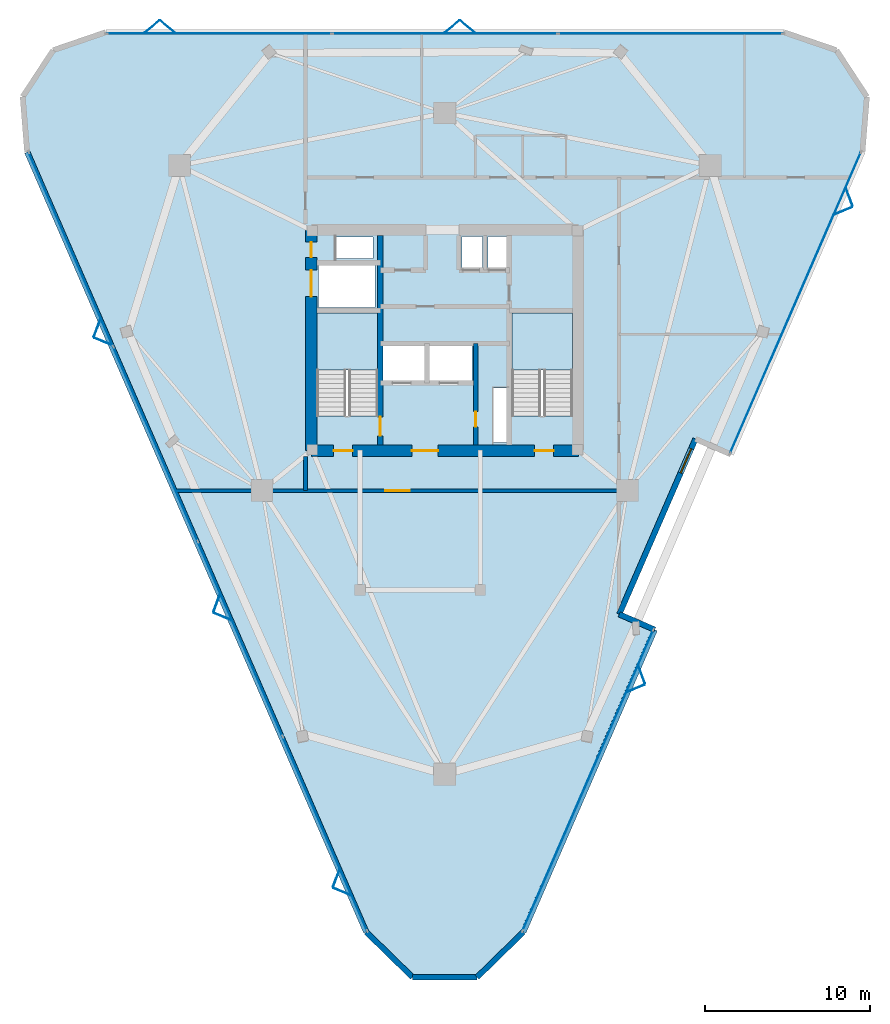
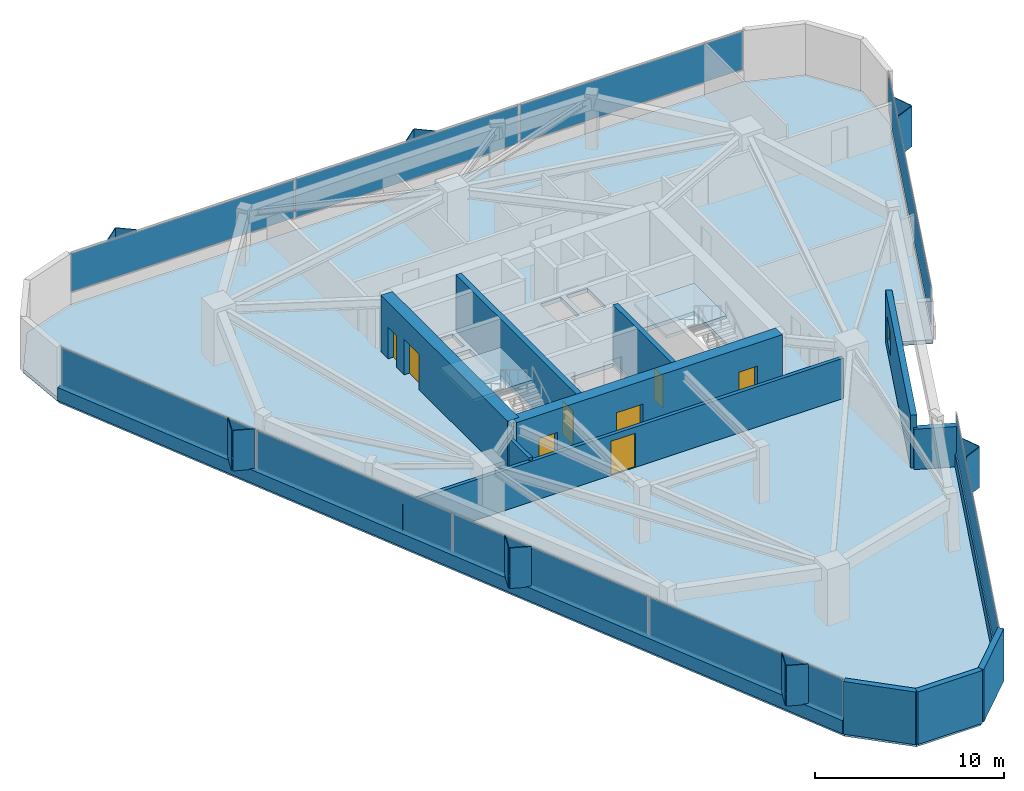
# One storey, part 7 of 10: 23 plates, 13 walls, 8 doors, 3 slabs, 1 window, 9 openings, 6 elements without a shape of their own.
"""IFC4 building model written with IfcOpenShell, lengths in metres."""

from ifc_helpers import new_model, si_unit, direction, frame, frame_2d, origin, origin_2d, place, context, subcontext, project, spatial, polyline, rectangle, outline, extrude, material, layer, layer_set, type_object, element, fill, aggregate, save


model = new_model("IFC4")

# Units and contexts
model_context = context("Model", 3, precision=1e-05, world=origin(), true_north=direction((0.0, 1.0)))
body_context = subcontext(model_context, "Body", "Model", "MODEL_VIEW")
ifc_project = project(units=[si_unit("LENGTHUNIT", "METRE"), si_unit("AREAUNIT", "SQUARE_METRE"), si_unit("VOLUMEUNIT", "CUBIC_METRE"), si_unit("PLANEANGLEUNIT", "RADIAN"), si_unit("MASSUNIT", "GRAM", prefix="KILO")], contexts=[model_context])

# Site, building, storey
site_placement = place(None, origin())
site = spatial("IfcSite", under=ifc_project, at=site_placement, CompositionType="ELEMENT")
building_placement = place(site_placement, origin())
building = spatial("IfcBuilding", under=site, at=building_placement, Name="Talyreon Biosciences Tower", CompositionType="ELEMENT")
storey_placement = place(building_placement, frame((0.0, 0.0, 204.949951171875)))
storey = spatial("IfcBuildingStorey", under=building, at=storey_placement, Name="L54", CompositionType="ELEMENT", Elevation=204.949951171875)

# Curtain wall, plates
ifc_material_1 = material(Name="Thermally broken aluminium and low-E glazing", Category="aluminium")
ifc_layer_1 = layer(ifc_material_1, 0.205078125)
ifc_layer_set_1 = layer_set([ifc_layer_1], Name="Thermally broken aluminium and low-E glazing")
curtain_wall_type = type_object("IfcCurtainWallType", Name="CurtainWall_SkyGardenLoggia", PredefinedType="NOTDEFINED", material=ifc_layer_set_1)
curtain_wall_1_placement = place(storey_placement, origin())
curtain_wall_1 = element("IfcCurtainWall", 1, at=curtain_wall_1_placement, inside=storey, type_object=curtain_wall_type, Name="L54 Unitised Curtain Wall FCW-L54-03", PredefinedType="NOTDEFINED")
ifc_material_2 = material(Name="Acoustic laminated low-E insulated glazing", Category="glass")
ifc_layer_2 = layer(ifc_material_2, 0.0380859375)
ifc_layer_set_2 = layer_set([ifc_layer_2], Name="Acoustic laminated low-E insulated glazing")
plate_type_1 = type_object("IfcPlateType", Name="CWGlazingPanel_38", PredefinedType="CURTAIN_PANEL", material=ifc_layer_set_2)
plate_1_placement = place(storey_placement, frame((52.30859375, 86.605224609375, 0.875), z_axis=(0.0, 0.0, 1.0), x_axis=(1.0, 0.0, 0.0)))
plate_1 = element("IfcPlate", 2, at=plate_1_placement, type_object=plate_type_1, Name="CW7 panel 1.1", PredefinedType="CURTAIN_PANEL", context=body_context, shape_type="SweptSolid", body=[
    extrude(rectangle(XDim=13.59765625, YDim=0.0380859375, at=origin_2d()), origin(), (0.0, 0.0, 1.0), 2.4599609375),
])
plate_2_placement = place(storey_placement, frame((66.0, 86.605224609375, 0.875), z_axis=(0.0, 0.0, 1.0), x_axis=(1.0, 0.0, 0.0)))
plate_2 = element("IfcPlate", 3, at=plate_2_placement, type_object=plate_type_1, Name="CW7 panel 2.1", PredefinedType="CURTAIN_PANEL", context=body_context, shape_type="SweptSolid", body=[
    extrude(rectangle(XDim=13.63525390625, YDim=0.0380859375, at=origin_2d()), origin(), (0.0, 0.0, 1.0), 2.4599609375),
])
plate_3_placement = place(storey_placement, frame((79.69140625, 86.605224609375, 0.875), z_axis=(0.0, 0.0, 1.0), x_axis=(1.0, 0.0, 0.0)))
plate_3 = element("IfcPlate", 4, at=plate_3_placement, type_object=plate_type_1, Name="CW7 panel 3.1", PredefinedType="CURTAIN_PANEL", context=body_context, shape_type="SweptSolid", body=[
    extrude(rectangle(XDim=13.59765625, YDim=0.0380859375, at=origin_2d()), origin(), (0.0, 0.0, 1.0), 2.4599609375),
])
aggregate(curtain_wall_1, [plate_1, plate_2, plate_3])

# Curtain wall, plate
curtain_wall_2_placement = place(storey_placement, origin())
curtain_wall_2 = element("IfcCurtainWall", 5, at=curtain_wall_2_placement, inside=storey, type_object=curtain_wall_type, Name="L54 Unitised Curtain Wall FCW-L54-07", PredefinedType="NOTDEFINED")
plate_4_placement = place(storey_placement, frame((87.275634765625, 70.275390625, 0.875), z_axis=(0.0, 0.0, 1.0), x_axis=(-0.398627540924, -0.91711290669, 0.0)))
plate_4 = element("IfcPlate", 6, at=plate_4_placement, type_object=plate_type_1, Name="CW7 panel 1.1", PredefinedType="CURTAIN_PANEL", context=body_context, shape_type="SweptSolid", body=[
    extrude(rectangle(XDim=19.845458984375, YDim=0.0380859375, at=origin_2d()), origin(), (0.0, 0.0, 1.0), 2.4599609375),
])
aggregate(curtain_wall_2, [plate_4])

curtain_wall_3_placement = place(storey_placement, origin())
curtain_wall_3 = element("IfcCurtainWall", 7, at=curtain_wall_3_placement, inside=storey, type_object=curtain_wall_type, Name="L54 Unitised Curtain Wall FCW-L54-11", PredefinedType="NOTDEFINED")
plate_5_placement = place(storey_placement, frame((74.680908203125, 41.298828125, 0.875), z_axis=(0.0, 0.0, 1.0), x_axis=(-0.3986251628, -0.917113940349, 0.0)))
plate_5 = element("IfcPlate", 8, at=plate_5_placement, type_object=plate_type_1, Name="CW7 panel 1.1", PredefinedType="CURTAIN_PANEL", context=body_context, shape_type="SweptSolid", body=[
    extrude(rectangle(XDim=19.84521484375, YDim=0.0380859375, at=origin_2d()), origin(), (0.0, 0.0, 1.0), 2.4599609375),
])
aggregate(curtain_wall_3, [plate_5])

# Curtain wall, plates
curtain_wall_4_placement = place(storey_placement, origin())
curtain_wall_4 = element("IfcCurtainWall", 9, at=curtain_wall_4_placement, inside=storey, type_object=curtain_wall_type, Name="L54 Unitised Curtain Wall FCW-L54-15", PredefinedType="NOTDEFINED")
plate_6_placement = place(storey_placement, frame((58.726318359375, 38.061279296875, 0.875), z_axis=(0.0, 0.0, 1.0), x_axis=(-0.398626314079, 0.917113439943, 0.0)))
plate_6 = element("IfcPlate", 10, at=plate_6_placement, type_object=plate_type_1, Name="CW7 panel 1.1", PredefinedType="CURTAIN_PANEL", context=body_context, shape_type="SweptSolid", body=[
    extrude(rectangle(XDim=12.78515625, YDim=0.0380859375, at=origin_2d()), origin(), (0.0, 0.0, 1.0), 2.4599609375),
])
plate_7_placement = place(storey_placement, frame((53.59228515625, 49.872802734375, 0.875), z_axis=(0.0, 0.0, 1.0), x_axis=(-0.398626314079, 0.917113439943, 0.0)))
plate_7 = element("IfcPlate", 11, at=plate_7_placement, type_object=plate_type_1, Name="CW7 panel 2.1", PredefinedType="CURTAIN_PANEL", context=body_context, shape_type="SweptSolid", body=[
    extrude(rectangle(XDim=12.82275390625, YDim=0.0380859375, at=origin_2d()), origin(), (0.0, 0.0, 1.0), 2.4599609375),
])
plate_8_placement = place(storey_placement, frame((48.450927734375, 61.701416015625, 0.875), z_axis=(0.0, 0.0, 1.0), x_axis=(-0.398626314079, 0.917113439943, 0.0)))
plate_8 = element("IfcPlate", 12, at=plate_8_placement, type_object=plate_type_1, Name="CW7 panel 3.1", PredefinedType="CURTAIN_PANEL", context=body_context, shape_type="SweptSolid", body=[
    extrude(rectangle(XDim=12.82275390625, YDim=0.0380859375, at=origin_2d()), origin(), (0.0, 0.0, 1.0), 2.4599609375),
])
plate_9_placement = place(storey_placement, frame((43.317138671875, 73.5126953125, 0.875), z_axis=(0.0, 0.0, 1.0), x_axis=(-0.398626314079, 0.917113439943, 0.0)))
plate_9 = element("IfcPlate", 13, at=plate_9_placement, type_object=plate_type_1, Name="CW7 panel 4.1", PredefinedType="CURTAIN_PANEL", context=body_context, shape_type="SweptSolid", body=[
    extrude(rectangle(XDim=12.78515625, YDim=0.0380859375, at=origin_2d()), origin(), (0.0, 0.0, 1.0), 2.4599609375),
])
aggregate(curtain_wall_4, [plate_6, plate_7, plate_8, plate_9])

# Slab
ifc_material_3 = material(Name="Concrete C40/50", Category="concrete")
ifc_layer_3 = layer(ifc_material_3, 0.25)
ifc_layer_set_3 = layer_set([ifc_layer_3], Name="Concrete C40/50")
slab_type_1 = type_object("IfcSlabType", Name="DryLabFloorSlab_250", PredefinedType="FLOOR", material=ifc_layer_set_3)
slab_1_placement = place(storey_placement, frame((0.0, 0.0, -0.25)))
element("IfcSlab", 14, at=slab_1_placement, inside=storey, type_object=slab_type_1, Name="L54 Structural Floor Slab", PredefinedType="FLOOR", context=body_context, shape_type="SweptSolid", body=[
    extrude(outline(polyline([(40.66552734375, 79.412353515625), (40.396484375, 82.77294921875), (42.245361328125, 85.59228515625), (45.4345703125, 86.685302734375), (86.5654296875, 86.685302734375), (89.754638671875, 85.59228515625), (91.603515625, 82.77294921875), (91.33447265625, 79.412353515625), (83.36376953125, 61.074462890625), (81.20849609375, 62.010986328125), (76.58447265625, 51.37255859375), (78.739501953125, 50.435791015625), (70.76904296875, 32.097900390625), (67.962158203125, 29.355224609375), (64.037841796875, 29.355224609375), (61.23095703125, 32.097900390625), (40.66552734375, 79.412353515625)]), holes=[polyline([(69.820068359375, 65.10009765625), (69.820068359375, 61.800048828125), (68.9599609375, 61.800048828125), (68.9599609375, 65.10009765625), (69.820068359375, 65.10009765625)]), polyline([(61.929931640625, 69.64990234375), (61.929931640625, 63.407958984375), (58.25, 63.407958984375), (58.25, 69.64990234375), (61.929931640625, 69.64990234375)]), polyline([(73.75, 69.64990234375), (73.75, 63.407958984375), (70.070068359375, 63.407958984375), (70.070068359375, 69.64990234375), (73.75, 69.64990234375)]), polyline([(64.800048828125, 67.64990234375), (64.800048828125, 65.550048828125), (62.199951171875, 65.550048828125), (62.199951171875, 67.64990234375), (64.800048828125, 67.64990234375)]), polyline([(67.64990234375, 67.64990234375), (67.64990234375, 65.550048828125), (65.050048828125, 65.550048828125), (65.050048828125, 67.64990234375), (67.64990234375, 67.64990234375)]), polyline([(61.75, 72.550048828125), (61.75, 69.97998046875), (58.35009765625, 69.97998046875), (58.35009765625, 72.550048828125), (61.75, 72.550048828125)]), polyline([(68.300048828125, 74.300048828125), (68.300048828125, 72.35009765625), (67.050048828125, 72.35009765625), (67.050048828125, 74.300048828125), (68.300048828125, 74.300048828125)]), polyline([(69.919921875, 72.35009765625), (68.6201171875, 72.35009765625), (68.6201171875, 74.300048828125), (69.919921875, 74.300048828125), (69.919921875, 72.35009765625)]), polyline([(61.64990234375, 72.9599609375), (59.39990234375, 72.9599609375), (59.39990234375, 74.25), (61.64990234375, 74.25), (61.64990234375, 72.9599609375)])]), origin(), (0.0, 0.0, 1.0), 0.25),
])

# Plates
ifc_material_4 = material(Name="Ivory GFRC sunshade panel", Category="concrete")
ifc_layer_4 = layer(ifc_material_4, 0.044921875)
ifc_layer_set_4 = layer_set([ifc_layer_4], Name="Ivory GFRC sunshade panel")
plate_type_2 = type_object("IfcPlateType", Name="FoldedVSunshade_NorthFace_SUNSHADE", PredefinedType="USERDEFINED", material=ifc_layer_set_4)
for number, where, z_axis, x_axis, name in (
    (15, (48.254638671875, 87.045166015625, 0.7900390625), (0.0, 0.0, 1.0), (0.771624583388, 0.636078220278, 0.0), "L54 Folded V-Sunshade Panel 03.01L"),
    (16, (49.154541015625, 87.045166015625, 0.7900390625), (0.0, 0.0, 1.0), (0.771624583388, -0.636078220278, 0.0), "L54 Folded V-Sunshade Panel 03.01R"),
    (17, (66.45458984375, 87.045166015625, 0.7900390625), (0.0, 0.0, 1.0), (0.771624583388, 0.636078220278, 0.0), "L54 Folded V-Sunshade Panel 03.02L"),
    (18, (67.3544921875, 87.045166015625, 0.7900390625), (0.0, 0.0, 1.0), (0.771624583388, -0.636078220278, 0.0), "L54 Folded V-Sunshade Panel 03.02R"),
):
    element("IfcPlate", number, at=place(storey_placement, frame(where, z_axis=z_axis, x_axis=x_axis)), inside=storey, type_object=plate_type_2, Name=name, ObjectType="SUNSHADE", PredefinedType="USERDEFINED", context=body_context, shape_type="SweptSolid", body=[
        extrude(rectangle(XDim=1.14990234375, YDim=0.044921875, at=origin_2d()), origin(), (0.0, 0.0, 1.0), 2.610107421875),
    ])
ifc_layer_5 = layer(ifc_material_4, 0.044921875)
ifc_layer_set_5 = layer_set([ifc_layer_5], Name="Ivory GFRC sunshade panel")
plate_type_3 = type_object("IfcPlateType", Name="FoldedVSunshade_SunFace_SUNSHADE", PredefinedType="USERDEFINED", material=ifc_layer_set_5)
for number, where, z_axis, x_axis, name in (
    (19, (90.540283203125, 76.6826171875, 0.7900390625), (0.0, 0.0, 1.0), (0.350338161955, -0.936623281943, 0.0), "L54 Folded V-Sunshade Panel 07.01L"),
    (20, (90.181640625, 75.857177734375, 0.7900390625), (0.0, 0.0, 1.0), (-0.923826090819, -0.382812426552, 0.0), "L54 Folded V-Sunshade Panel 07.01R"),
    (21, (77.945556640625, 47.7060546875, 0.7900390625), (0.0, 0.0, 1.0), (0.350338161955, -0.936623281943, 0.0), "L54 Folded V-Sunshade Panel 11.01L"),
    (22, (77.5869140625, 46.880615234375, 0.7900390625), (0.0, 0.0, 1.0), (-0.923826090819, -0.382812426552, 0.0), "L54 Folded V-Sunshade Panel 11.01R"),
    (23, (59.776611328125, 34.540771484375, 0.7900390625), (0.0, 0.0, 1.0), (-0.923826090819, 0.382812426552, 0.0), "L54 Folded V-Sunshade Panel 15.01L"),
    (24, (59.41796875, 35.3662109375, 0.7900390625), (0.0, 0.0, 1.0), (0.350338161955, 0.936623281943, 0.0), "L54 Folded V-Sunshade Panel 15.01R"),
    (25, (52.521728515625, 51.232177734375, 0.7900390625), (0.0, 0.0, 1.0), (-0.923826090819, 0.382812426552, 0.0), "L54 Folded V-Sunshade Panel 15.02L"),
    (26, (52.1630859375, 52.0576171875, 0.7900390625), (0.0, 0.0, 1.0), (0.350338161955, 0.936623281943, 0.0), "L54 Folded V-Sunshade Panel 15.02R"),
    (27, (45.2666015625, 67.923583984375, 0.7900390625), (0.0, 0.0, 1.0), (-0.923826090819, 0.382812426552, 0.0), "L54 Folded V-Sunshade Panel 15.03L"),
    (28, (44.907958984375, 68.7490234375, 0.7900390625), (0.0, 0.0, 1.0), (0.350338161955, 0.936623281943, 0.0), "L54 Folded V-Sunshade Panel 15.03R"),
):
    element("IfcPlate", number, at=place(storey_placement, frame(where, z_axis=z_axis, x_axis=x_axis)), inside=storey, type_object=plate_type_3, Name=name, ObjectType="SUNSHADE", PredefinedType="USERDEFINED", context=body_context, shape_type="SweptSolid", body=[
        extrude(rectangle(XDim=1.14990234375, YDim=0.044921875, at=origin_2d()), origin(), (0.0, 0.0, 1.0), 2.610107421875),
    ])

# Stair, slab
stair_type = type_object("IfcStairType", Name="DoglegEscapeStair_3650", PredefinedType="HALF_TURN_STAIR", material=ifc_material_3)
stair_1_placement = place(storey_placement, origin())
stair_1 = element("IfcStair", 29, at=stair_1_placement, inside=storey, type_object=stair_type, Name="L54 Core Escape Stair 1", PredefinedType="HALF_TURN_STAIR")
ifc_layer_6 = layer(ifc_material_3, 0.199951171875)
ifc_layer_set_6 = layer_set([ifc_layer_6], Name="Concrete C40/50")
slab_type_2 = type_object("IfcSlabType", Name="StairLandingSlab_200", PredefinedType="LANDING", material=ifc_layer_set_6)
slab_2_placement = place(storey_placement, frame((0.0, 0.0, 1.625)))
slab_2 = element("IfcSlab", 30, at=slab_2_placement, type_object=slab_type_2, Name="ST-1 landing 1", PredefinedType="LANDING", context=body_context, shape_type="SweptSolid", body=[
    extrude(outline(polyline([(61.929931640625, 66.199951171875), (61.929931640625, 69.64990234375), (58.25, 69.64990234375), (58.25, 66.199951171875), (61.929931640625, 66.199951171875)])), origin(), (0.0, 0.0, 1.0), 0.199951171875),
])
aggregate(stair_1, [slab_2])

stair_2_placement = place(storey_placement, origin())
stair_2 = element("IfcStair", 31, at=stair_2_placement, inside=storey, type_object=stair_type, Name="L54 Core Escape Stair 2", PredefinedType="HALF_TURN_STAIR")
slab_3_placement = place(storey_placement, frame((0.0, 0.0, 1.625)))
slab_3 = element("IfcSlab", 32, at=slab_3_placement, type_object=slab_type_2, Name="ST-2 landing 1", PredefinedType="LANDING", context=body_context, shape_type="SweptSolid", body=[
    extrude(outline(polyline([(73.75, 66.199951171875), (73.75, 69.64990234375), (70.070068359375, 69.64990234375), (70.070068359375, 66.199951171875), (73.75, 66.199951171875)])), origin(), (0.0, 0.0, 1.0), 0.199951171875),
])
aggregate(stair_2, [slab_3])

# Wall, opening, door
ifc_material_5 = material(Name="Concrete C50/60", Category="concrete")
ifc_layer_7 = layer(ifc_material_5, 0.280029296875)
ifc_layer_set_7 = layer_set([ifc_layer_7], Name="Concrete C50/60")
wall_type_1 = type_object("IfcWallType", Name="CoreShearWall_280", PredefinedType="SHEAR", material=ifc_layer_set_7)
wall_1_placement = place(storey_placement, frame((67.8798828125, 61.64990234375, 0.0), z_axis=(0.0, 0.0, 1.0), x_axis=(0.0, 1.0, 0.0)))
wall_1 = element("IfcWall", 33, at=wall_1_placement, inside=storey, type_object=wall_type_1, Name="L54 Core Shaft Wall SWFFE", PredefinedType="SHEAR", context=body_context, shape_type="SweptSolid", body=[
    extrude(rectangle(XDim=6.150146484375, YDim=0.280029296875, at=frame_2d((3.0751953125, 0.0))), origin(), (0.0, 0.0, 1.0), 3.650146484375),
])
opening_1_placement = place(wall_1_placement, frame((1.10009765625, 0.0, 0.0)))
opening_1 = element("IfcOpeningElement", 34, at=opening_1_placement, cuts=wall_1, Name="Opening DR-L54-RSE", PredefinedType="OPENING", context=body_context, shape_type="SweptSolid", body=[
    extrude(rectangle(XDim=0.919921875, YDim=2.050048828125, at=frame_2d((0.4599609375, 1.02490234375))), frame((0.0, 0.14990234375, 0.0), z_axis=(0.0, -1.0, 0.0), x_axis=(1.0, 0.0, 0.0)), (0.0, 0.0, 1.0), 0.300048828125),
])
ifc_material_6 = material(Name="Painted steel fire-rated riser door", Category="steel")
door_type_1 = type_object("IfcDoorType", Name="RiserPlantAccessDoor_920x2050", OperationType="NOTDEFINED", PredefinedType="DOOR", material=ifc_material_6)
door_1_placement = place(opening_1_placement, origin())
door_1 = element("IfcDoor", 35, at=door_1_placement, inside=storey, type_object=door_type_1, Name="L54 Core Door DR-L54-RSE", OperationType="SINGLE_SWING_RIGHT", OverallHeight=2.050048828125, OverallWidth=0.919921875, PredefinedType="DOOR", context=body_context, shape_type="SweptSolid", body=[
    extrude(rectangle(XDim=0.919921875, YDim=2.050048828125, at=frame_2d((0.4599609375, 1.02490234375))), frame((0.0, 0.02490234375, 0.0), z_axis=(0.0, -1.0, 0.0), x_axis=(1.0, 0.0, 0.0)), (0.0, 0.0, 1.0), 0.050048828125),
])
fill(opening_1, door_1)

ifc_layer_8 = layer(ifc_material_5, 0.320068359375)
ifc_layer_set_8 = layer_set([ifc_layer_8], Name="Concrete C50/60")
wall_type_2 = type_object("IfcWallType", Name="CoreShearWall_320", PredefinedType="SHEAR", material=ifc_layer_set_8)
wall_2_placement = place(storey_placement, frame((62.090087890625, 61.64990234375, 0.0), z_axis=(0.0, 0.0, 1.0), x_axis=(0.0, 1.0, 0.0)))
wall_2 = element("IfcWall", 36, at=wall_2_placement, inside=storey, type_object=wall_type_2, Name="L54 Core Shaft Wall SW1E", PredefinedType="SHEAR", context=body_context, shape_type="SweptSolid", body=[
    extrude(rectangle(XDim=12.7001953125, YDim=0.320068359375, at=frame_2d((6.35009765625, 0.0))), origin(), (0.0, 0.0, 1.0), 3.650146484375),
])
opening_2_placement = place(wall_2_placement, frame((0.550048828125, 0.0, 0.0)))
opening_2 = element("IfcOpeningElement", 37, at=opening_2_placement, cuts=wall_2, Name="Opening DR-L54-FF-ST1", PredefinedType="OPENING", context=body_context, shape_type="SweptSolid", body=[
    extrude(rectangle(XDim=1.14990234375, YDim=2.14990234375, at=frame_2d((0.574951171875, 1.074951171875))), frame((0.0, 0.169921875, 0.0), z_axis=(0.0, -1.0, 0.0), x_axis=(1.0, 0.0, 0.0)), (0.0, 0.0, 1.0), 0.340087890625),
])
ifc_material_7 = material(Name="Painted steel fire door", Category="steel")
door_type_2 = type_object("IfcDoorType", Name="StairShaftFireDoor_1150x2150", OperationType="NOTDEFINED", PredefinedType="DOOR", material=ifc_material_7)
door_2_placement = place(opening_2_placement, origin())
door_2 = element("IfcDoor", 38, at=door_2_placement, inside=storey, type_object=door_type_2, Name="L54 Core Door DR-L54-FF-ST1", OperationType="SINGLE_SWING_LEFT", OverallHeight=2.14990234375, OverallWidth=1.14990234375, PredefinedType="DOOR", context=body_context, shape_type="SweptSolid", body=[
    extrude(rectangle(XDim=1.14990234375, YDim=2.14990234375, at=frame_2d((0.574951171875, 1.074951171875))), frame((0.0, 0.02490234375, 0.0), z_axis=(0.0, -1.0, 0.0), x_axis=(1.0, 0.0, 0.0)), (0.0, 0.0, 1.0), 0.050048828125),
])
fill(opening_2, door_2)

# Wall, openings, doors
ifc_layer_9 = layer(ifc_material_5, 0.699951171875)
ifc_layer_set_9 = layer_set([ifc_layer_9], Name="Concrete C50/60")
wall_type_3 = type_object("IfcWallType", Name="CoreShearWall_700", PredefinedType="SHEAR", material=ifc_layer_set_9)
wall_3_placement = place(storey_placement, frame((57.89990234375, 61.300048828125, 0.0), z_axis=(0.0, 0.0, 1.0), x_axis=(1.0, 0.0, 0.0)))
wall_3 = element("IfcWall", 39, at=wall_3_placement, inside=storey, type_object=wall_type_3, Name="L54 Core Shear Wall S", PredefinedType="SHEAR", context=body_context, shape_type="SweptSolid", body=[
    extrude(rectangle(XDim=16.2001953125, YDim=0.699951171875, at=frame_2d((8.10009765625, 0.0))), origin(), (0.0, 0.0, 1.0), 3.650146484375),
])
opening_3_placement = place(wall_3_placement, frame((1.35009765625, 0.0, 0.0)))
opening_3 = element("IfcOpeningElement", 40, at=opening_3_placement, cuts=wall_3, Name="Opening DR-L54-ST1", PredefinedType="OPENING", context=body_context, shape_type="SweptSolid", body=[
    extrude(rectangle(XDim=1.14990234375, YDim=2.14990234375, at=frame_2d((0.574951171875, 1.074951171875))), frame((0.0, 0.35986328125, 0.0), z_axis=(0.0, -1.0, 0.0), x_axis=(1.0, 0.0, 0.0)), (0.0, 0.0, 1.0), 0.719970703125),
])
opening_4_placement = place(wall_3_placement, frame((6.10009765625, 0.0, 0.0)))
opening_4 = element("IfcOpeningElement", 41, at=opening_4_placement, cuts=wall_3, Name="Opening DR-L54-FFL", PredefinedType="OPENING", context=body_context, shape_type="SweptSolid", body=[
    extrude(rectangle(XDim=1.60009765625, YDim=2.14990234375, at=frame_2d((0.800048828125, 1.074951171875))), frame((0.0, 0.35986328125, 0.0), z_axis=(0.0, -1.0, 0.0), x_axis=(1.0, 0.0, 0.0)), (0.0, 0.0, 1.0), 0.719970703125),
])
opening_5_placement = place(wall_3_placement, frame((13.550048828125, 0.0, 0.0)))
opening_5 = element("IfcOpeningElement", 42, at=opening_5_placement, cuts=wall_3, Name="Opening DR-L54-ST2", PredefinedType="OPENING", context=body_context, shape_type="SweptSolid", body=[
    extrude(rectangle(XDim=1.14990234375, YDim=2.14990234375, at=frame_2d((0.574951171875, 1.074951171875))), frame((0.0, 0.35986328125, 0.0), z_axis=(0.0, -1.0, 0.0), x_axis=(1.0, 0.0, 0.0)), (0.0, 0.0, 1.0), 0.719970703125),
])
ifc_material_8 = material(Name="Painted steel smoke-seal fire door", Category="steel")
door_type_3 = type_object("IfcDoorType", Name="FirefightingLobbyDoubleDoor_1600x2150", OperationType="DOUBLE_DOOR_SINGLE_SWING", PredefinedType="DOOR", material=ifc_material_8)
door_3_placement = place(opening_4_placement, origin())
door_3 = element("IfcDoor", 43, at=door_3_placement, inside=storey, type_object=door_type_3, Name="L54 Core Door DR-L54-FFL", OperationType="DOUBLE_DOOR_SINGLE_SWING", OverallHeight=2.14990234375, OverallWidth=1.60009765625, PredefinedType="DOOR", context=body_context, shape_type="SweptSolid", body=[
    extrude(rectangle(XDim=1.60009765625, YDim=2.14990234375, at=frame_2d((0.800048828125, 1.074951171875))), frame((0.0, 0.02490234375, 0.0), z_axis=(0.0, -1.0, 0.0), x_axis=(1.0, 0.0, 0.0)), (0.0, 0.0, 1.0), 0.050048828125),
])
fill(opening_4, door_3)
door_4_placement = place(opening_3_placement, origin())
door_4 = element("IfcDoor", 44, at=door_4_placement, inside=storey, type_object=door_type_2, Name="L54 Core Door DR-L54-ST1", OperationType="SINGLE_SWING_LEFT", OverallHeight=2.14990234375, OverallWidth=1.14990234375, PredefinedType="DOOR", context=body_context, shape_type="SweptSolid", body=[
    extrude(rectangle(XDim=1.14990234375, YDim=2.14990234375, at=frame_2d((0.574951171875, 1.074951171875))), frame((0.0, 0.02490234375, 0.0), z_axis=(0.0, -1.0, 0.0), x_axis=(1.0, 0.0, 0.0)), (0.0, 0.0, 1.0), 0.050048828125),
])
fill(opening_3, door_4)
door_5_placement = place(opening_5_placement, origin())
door_5 = element("IfcDoor", 45, at=door_5_placement, inside=storey, type_object=door_type_2, Name="L54 Core Door DR-L54-ST2", OperationType="SINGLE_SWING_RIGHT", OverallHeight=2.14990234375, OverallWidth=1.14990234375, PredefinedType="DOOR", context=body_context, shape_type="SweptSolid", body=[
    extrude(rectangle(XDim=1.14990234375, YDim=2.14990234375, at=frame_2d((0.574951171875, 1.074951171875))), frame((0.0, 0.02490234375, 0.0), z_axis=(0.0, -1.0, 0.0), x_axis=(1.0, 0.0, 0.0)), (0.0, 0.0, 1.0), 0.050048828125),
])
fill(opening_5, door_5)

wall_4_placement = place(storey_placement, frame((57.89990234375, 74.699951171875, 0.0), z_axis=(0.0, 0.0, 1.0), x_axis=(0.0, -1.0, 0.0)))
wall_4 = element("IfcWall", 46, at=wall_4_placement, inside=storey, type_object=wall_type_3, Name="L54 Core Shear Wall W", PredefinedType="SHEAR", context=body_context, shape_type="SweptSolid", body=[
    extrude(rectangle(XDim=13.39990234375, YDim=0.699951171875, at=frame_2d((6.699951171875, 0.0))), origin(), (0.0, 0.0, 1.0), 3.650146484375),
])
opening_6_placement = place(wall_4_placement, frame((0.75, 0.0, 0.0)))
opening_6 = element("IfcOpeningElement", 47, at=opening_6_placement, cuts=wall_4, Name="Opening DR-L54-RSW", PredefinedType="OPENING", context=body_context, shape_type="SweptSolid", body=[
    extrude(rectangle(XDim=0.919921875, YDim=2.050048828125, at=frame_2d((0.4599609375, 1.02490234375))), frame((0.0, 0.35986328125, 0.0), z_axis=(0.0, -1.0, 0.0), x_axis=(1.0, 0.0, 0.0)), (0.0, 0.0, 1.0), 0.719970703125),
])
opening_7_placement = place(wall_4_placement, frame((2.449951171875, 0.0, 0.0)))
opening_7 = element("IfcOpeningElement", 48, at=opening_7_placement, cuts=wall_4, Name="Opening LD-L54-GL1", PredefinedType="OPENING", context=body_context, shape_type="SweptSolid", body=[
    extrude(rectangle(XDim=1.60009765625, YDim=2.300048828125, at=frame_2d((0.800048828125, 1.14990234375))), frame((0.0, 0.35986328125, 0.0), z_axis=(0.0, -1.0, 0.0), x_axis=(1.0, 0.0, 0.0)), (0.0, 0.0, 1.0), 0.719970703125),
])
ifc_material_9 = material(Name="Heavy-duty stainless-steel goods lift door", Category="steel")
door_type_4 = type_object("IfcDoorType", Name="GoodsLiftSlidingDoor_1600x2300", OperationType="DOUBLE_DOOR_SLIDING", PredefinedType="DOOR", material=ifc_material_9)
door_6_placement = place(opening_7_placement, origin())
door_6 = element("IfcDoor", 49, at=door_6_placement, inside=storey, type_object=door_type_4, Name="L54 Core Door LD-L54-GL1", OperationType="DOUBLE_DOOR_SLIDING", OverallHeight=2.300048828125, OverallWidth=1.60009765625, PredefinedType="DOOR", context=body_context, shape_type="SweptSolid", body=[
    extrude(rectangle(XDim=1.60009765625, YDim=2.300048828125, at=frame_2d((0.800048828125, 1.14990234375))), frame((0.0, 0.02490234375, 0.0), z_axis=(0.0, -1.0, 0.0), x_axis=(1.0, 0.0, 0.0)), (0.0, 0.0, 1.0), 0.050048828125),
])
fill(opening_7, door_6)
door_7_placement = place(opening_6_placement, origin())
door_7 = element("IfcDoor", 50, at=door_7_placement, inside=storey, type_object=door_type_1, Name="L54 Core Door DR-L54-RSW", OperationType="SINGLE_SWING_LEFT", OverallHeight=2.050048828125, OverallWidth=0.919921875, PredefinedType="DOOR", context=body_context, shape_type="SweptSolid", body=[
    extrude(rectangle(XDim=0.919921875, YDim=2.050048828125, at=frame_2d((0.4599609375, 1.02490234375))), frame((0.0, 0.02490234375, 0.0), z_axis=(0.0, -1.0, 0.0), x_axis=(1.0, 0.0, 0.0)), (0.0, 0.0, 1.0), 0.050048828125),
])
fill(opening_6, door_7)

# Wall, opening, door
ifc_material_10 = material(Name="Gypsum fireboard acoustic stud", Category="gypsum")
ifc_layer_10 = layer(ifc_material_10, 0.219970703125)
ifc_layer_set_10 = layer_set([ifc_layer_10], Name="Gypsum fireboard acoustic stud")
wall_type_4 = type_object("IfcWallType", Name="CorridorRatedPartition_220", PredefinedType="PARTITIONING", material=ifc_layer_set_10)
wall_5_placement = place(storey_placement, frame((49.68701171875, 58.8701171875, 0.0), z_axis=(0.0, 0.0, 1.0), x_axis=(1.0, 0.0, 0.0)))
wall_5 = element("IfcWall", 51, at=wall_5_placement, inside=storey, type_object=wall_type_4, Name="L54 Interior Wall IW-L54-COR-S", PredefinedType="PARTITIONING", context=body_context, shape_type="SweptSolid", body=[
    extrude(rectangle(XDim=26.883056640625, YDim=0.219970703125, at=frame_2d((13.44140625, 0.0))), origin(), (0.0, 0.0, 1.0), 2.60009765625),
])
opening_8_placement = place(wall_5_placement, frame((12.69091796875, 0.0, 0.0)))
opening_8 = element("IfcOpeningElement", 52, at=opening_8_placement, cuts=wall_5, Name="Opening DR-L54-S1A", PredefinedType="OPENING", context=body_context, shape_type="SweptSolid", body=[
    extrude(rectangle(XDim=1.5, YDim=2.199951171875, at=frame_2d((0.75, 1.10009765625))), frame((0.0, 0.119873046875, 0.0), z_axis=(0.0, -1.0, 0.0), x_axis=(1.0, 0.0, 0.0)), (0.0, 0.0, 1.0), 0.239990234375),
])
ifc_material_11 = material(Name="Vision-panel steel laboratory fire door", Category="steel")
door_type_5 = type_object("IfcDoorType", Name="WetLabDoubleLeafDoor_1500x2200", OperationType="DOUBLE_DOOR_SINGLE_SWING", PredefinedType="DOOR", material=ifc_material_11)
door_8_placement = place(opening_8_placement, origin())
door_8 = element("IfcDoor", 53, at=door_8_placement, inside=storey, type_object=door_type_5, Name="L54 Interior Door DR-L54-S1A", OperationType="DOUBLE_DOOR_SINGLE_SWING", OverallHeight=2.199951171875, OverallWidth=1.5, PredefinedType="DOOR", context=body_context, shape_type="SweptSolid", body=[
    extrude(rectangle(XDim=1.5, YDim=2.199951171875, at=frame_2d((0.75, 1.10009765625))), frame((0.0, 0.02490234375, 0.0), z_axis=(0.0, -1.0, 0.0), x_axis=(1.0, 0.0, 0.0)), (0.0, 0.0, 1.0), 0.050048828125),
])
fill(opening_8, door_8)

# Wall
wall_6_placement = place(storey_placement, frame((57.550048828125, 58.8701171875, 0.0), z_axis=(0.0, 0.0, 1.0), x_axis=(0.0, 1.0, 0.0)))
element("IfcWall", 54, at=wall_6_placement, inside=storey, type_object=wall_type_4, Name="L54 Interior Wall IW-L54-WCAP-S", PredefinedType="PARTITIONING", context=body_context, shape_type="SweptSolid", body=[
    extrude(rectangle(XDim=2.079833984375, YDim=0.219970703125, at=frame_2d((1.0400390625, 0.0))), origin(), (0.0, 0.0, 1.0), 2.780029296875),
])

# Wall, opening, window
ifc_material_12 = material(Name="Precast concrete C45/55", Category="concrete")
ifc_layer_11 = layer(ifc_material_12, 0.340087890625)
ifc_layer_set_11 = layer_set([ifc_layer_11], Name="Precast concrete C45/55")
wall_type_5 = type_object("IfcWallType", Name="PrecastConcreteSpandrelWall_340", PredefinedType="STANDARD", material=ifc_layer_set_11)
wall_7_placement = place(storey_placement, frame((81.20849609375, 62.010986328125, 0.0), z_axis=(0.0, 0.0, 1.0), x_axis=(-0.398626061538, -0.917113549711, 0.0)))
wall_7 = element("IfcWall", 55, at=wall_7_placement, inside=storey, type_object=wall_type_5, Name="L54 Terrace Backing Concrete Wall 09", PredefinedType="STANDARD", context=body_context, shape_type="SweptSolid", body=[
    extrude(rectangle(XDim=11.599853515625, YDim=0.340087890625, at=frame_2d((5.7998046875, 0.0))), origin(), (0.0, 0.0, 1.0), 3.400146484375),
])
opening_9_placement = place(wall_7_placement, frame((0.64990234375, 0.0, 0.699951171875)))
opening_9 = element("IfcOpeningElement", 56, at=opening_9_placement, cuts=wall_7, Name="Opening W06", PredefinedType="OPENING", context=body_context, shape_type="SweptSolid", body=[
    extrude(rectangle(XDim=1.60009765625, YDim=1.5, at=frame_2d((0.800048828125, 0.75))), frame((0.0, 0.179931640625, 0.0), z_axis=(0.0, -1.0, 0.0), x_axis=(1.0, 0.0, 0.0)), (0.0, 0.0, 1.0), 0.360107421875),
])
ifc_material_13 = material(Name="Thermally broken triple low-E aluminium window", Category="aluminium")
window_type = type_object("IfcWindowType", Name="CrownLouvredWindow_1600x1500", PartitioningType="SINGLE_PANEL", PredefinedType="WINDOW", material=ifc_material_13)
window_placement = place(opening_9_placement, origin())
window = element("IfcWindow", 57, at=window_placement, inside=storey, type_object=window_type, Name="L54 Sky-Garden Loggia Window 09", OverallHeight=1.5, OverallWidth=1.60009765625, PartitioningType="SINGLE_PANEL", PredefinedType="WINDOW", context=body_context, shape_type="SweptSolid", body=[
    extrude(rectangle(XDim=1.60009765625, YDim=1.5, at=frame_2d((0.800048828125, 0.75))), frame((0.0, 0.030029296875, 0.0), z_axis=(0.0, -1.0, 0.0), x_axis=(1.0, 0.0, 0.0)), (0.0, 0.0, 1.0), 0.06005859375),
])
fill(opening_9, window)

# Walls
wall_8_placement = place(storey_placement, frame((76.58447265625, 51.37255859375, 0.0), z_axis=(0.0, 0.0, 1.0), x_axis=(0.917101437334, -0.398653927161, 0.0)))
element("IfcWall", 58, at=wall_8_placement, inside=storey, type_object=wall_type_5, Name="L54 Terrace Backing Concrete Wall 10", PredefinedType="STANDARD", context=body_context, shape_type="SweptSolid", body=[
    extrude(rectangle(XDim=2.349853515625, YDim=0.340087890625, at=frame_2d((1.1748046875, 0.0))), origin(), (0.0, 0.0, 1.0), 2.60009765625),
])
wall_9_placement = place(storey_placement, frame((78.739501953125, 50.435791015625, 0.0), z_axis=(0.0, 0.0, 1.0), x_axis=(-0.39861940237, -0.917116444109, 0.0)))
element("IfcWall", 59, at=wall_9_placement, inside=storey, type_object=wall_type_5, Name="L54 Expressed Concrete Sill Wall 11", PredefinedType="STANDARD", context=body_context, shape_type="SweptSolid", body=[
    extrude(rectangle(XDim=19.9951171875, YDim=0.340087890625, at=frame_2d((9.99755859375, 0.0))), origin(), (0.0, 0.0, 1.0), 0.85009765625),
])
for number, where, z_axis, x_axis, name in (
    (60, (70.76904296875, 32.097900390625, 0.0), (0.0, 0.0, 1.0), (-0.7152402071, -0.69887870632, 0.0), "L54 Rounded-Corner Concrete Pier 12"),
    (61, (67.962158203125, 29.355224609375, 0.0), (0.0, 0.0, 1.0), (-1.0, 0.0, 0.0), "L54 Rounded-Corner Concrete Pier 13"),
    (62, (64.037841796875, 29.355224609375, 0.0), (0.0, 0.0, 1.0), (-0.7152402071, 0.69887870632, 0.0), "L54 Rounded-Corner Concrete Pier 14"),
):
    element("IfcWall", number, at=place(storey_placement, frame(where, z_axis=z_axis, x_axis=x_axis)), inside=storey, type_object=wall_type_5, Name=name, PredefinedType="STANDARD", context=body_context, shape_type="SweptSolid", body=[
        extrude(rectangle(XDim=3.92431640625, YDim=0.340087890625, at=frame_2d((1.962158203125, 0.0))), origin(), (0.0, 0.0, 1.0), 3.400146484375),
    ])
wall_10_placement = place(storey_placement, frame((61.23095703125, 32.097900390625, 0.0), z_axis=(0.0, 0.0, 1.0), x_axis=(-0.398627130257, 0.917113085188, 0.0)))
element("IfcWall", 63, at=wall_10_placement, inside=storey, type_object=wall_type_5, Name="L54 Expressed Concrete Sill Wall 15", PredefinedType="STANDARD", context=body_context, shape_type="SweptSolid", body=[
    extrude(rectangle(XDim=51.590576171875, YDim=0.340087890625, at=frame_2d((25.79541015625, 0.0))), origin(), (0.0, 0.0, 1.0), 0.85009765625),
])

save(model, "model.ifc")
